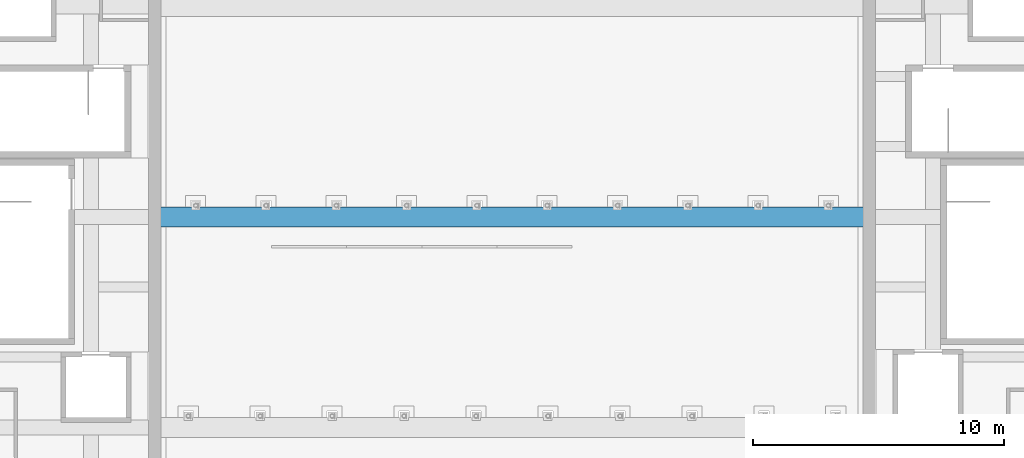
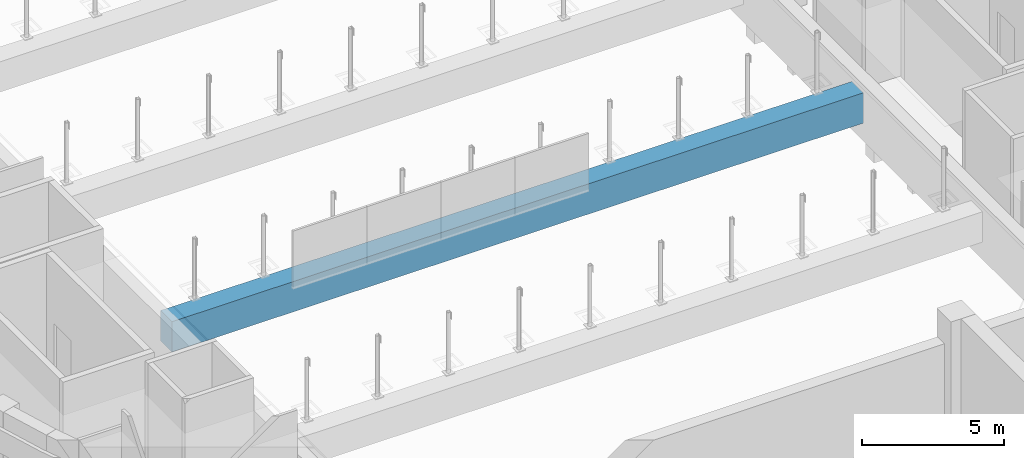
# One storey, part 6 of 47: 1 beam.
"""IFC4 building model written with IfcOpenShell, lengths in metres."""

from ifc_helpers import new_model, si_unit, direction, frame, origin, origin_2d, place, context, subcontext, project, spatial, rectangle, extrude, material, material_profile, profile_set, type_object, element, save


model = new_model("IFC4")

# Units and contexts
model_context = context("Model", 3, precision=1e-05, world=origin(), true_north=direction((0.0, 1.0)))
body_context = subcontext(model_context, "Body", "Model", "MODEL_VIEW")
ifc_project = project(units=[si_unit("LENGTHUNIT", "METRE"), si_unit("AREAUNIT", "SQUARE_METRE"), si_unit("VOLUMEUNIT", "CUBIC_METRE"), si_unit("PLANEANGLEUNIT", "RADIAN"), si_unit("MASSUNIT", "GRAM", prefix="KILO")], contexts=[model_context])

# Site, building, storey
site_placement = place(None, origin())
site = spatial("IfcSite", under=ifc_project, at=site_placement, CompositionType="ELEMENT")
building_placement = place(site_placement, origin())
building = spatial("IfcBuilding", under=site, at=building_placement, Name="Larchfold Concert Hall", CompositionType="ELEMENT")
storey_placement = place(building_placement, frame((0.0, 0.0, 24.0)))
storey = spatial("IfcBuildingStorey", under=building, at=storey_placement, Name="L05", CompositionType="ELEMENT", Elevation=24.0)

# Beam
ifc_material = material(Name="Concrete C40/50", Category="concrete")
ifc_material_profile = material_profile(ifc_material, rectangle(XDim=0.800048828125, YDim=1.300048828125, at=origin_2d()))
ifc_profile_set = profile_set([ifc_material_profile], Name="Concrete C40/50")
beam_type = type_object("IfcBeamType", Name="Beam RC 800x1300", PredefinedType="BEAM", material=ifc_profile_set)
beam_placement = place(storey_placement, frame((28.580078125, 76.199951171875, 1.39990234375), z_axis=(1.0, 0.0, 0.0), x_axis=(0.0, 1.0, 0.0)))
element("IfcBeam", 1, at=beam_placement, inside=storey, type_object=beam_type, Name="Beam B1852", PredefinedType="BEAM", context=body_context, shape_type="SweptSolid", body=[
    extrude(rectangle(XDim=0.800048828125, YDim=1.300048828125, at=origin_2d()), origin(), (0.0, 0.0, 1.0), 28.0400390625),
])

save(model, "model.ifc")
